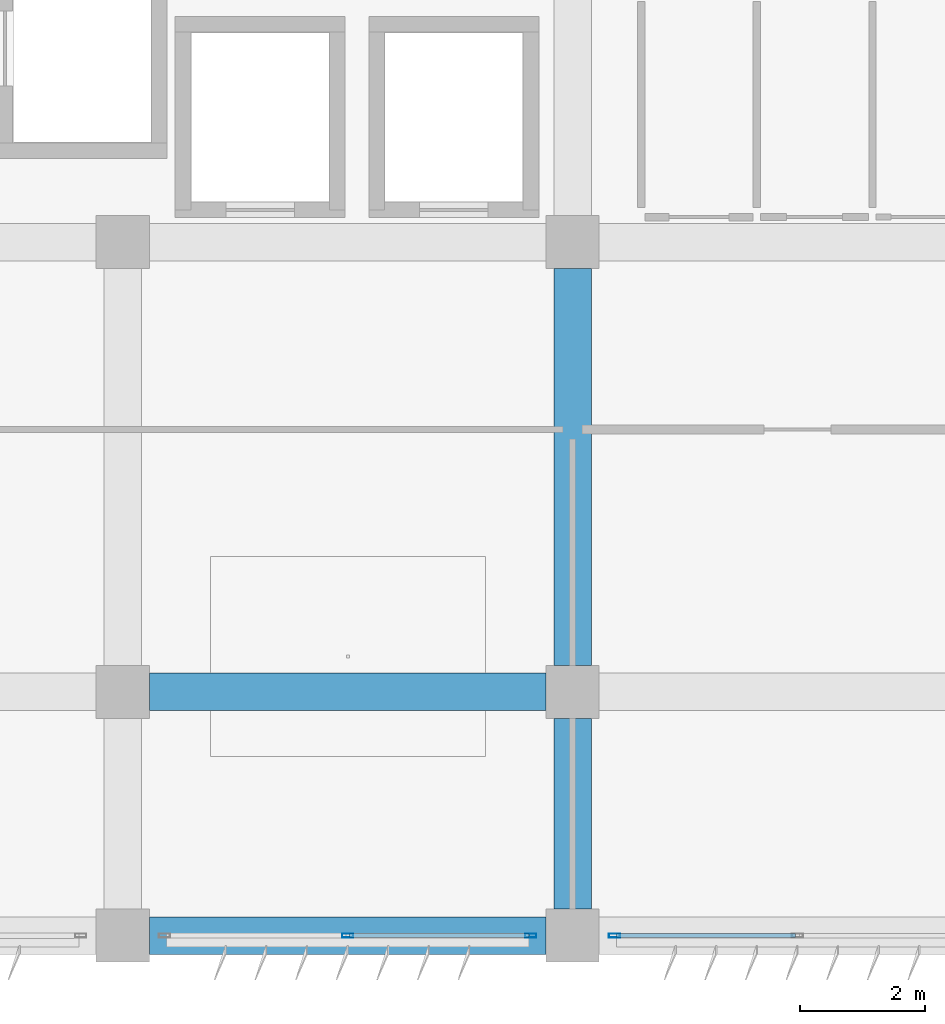
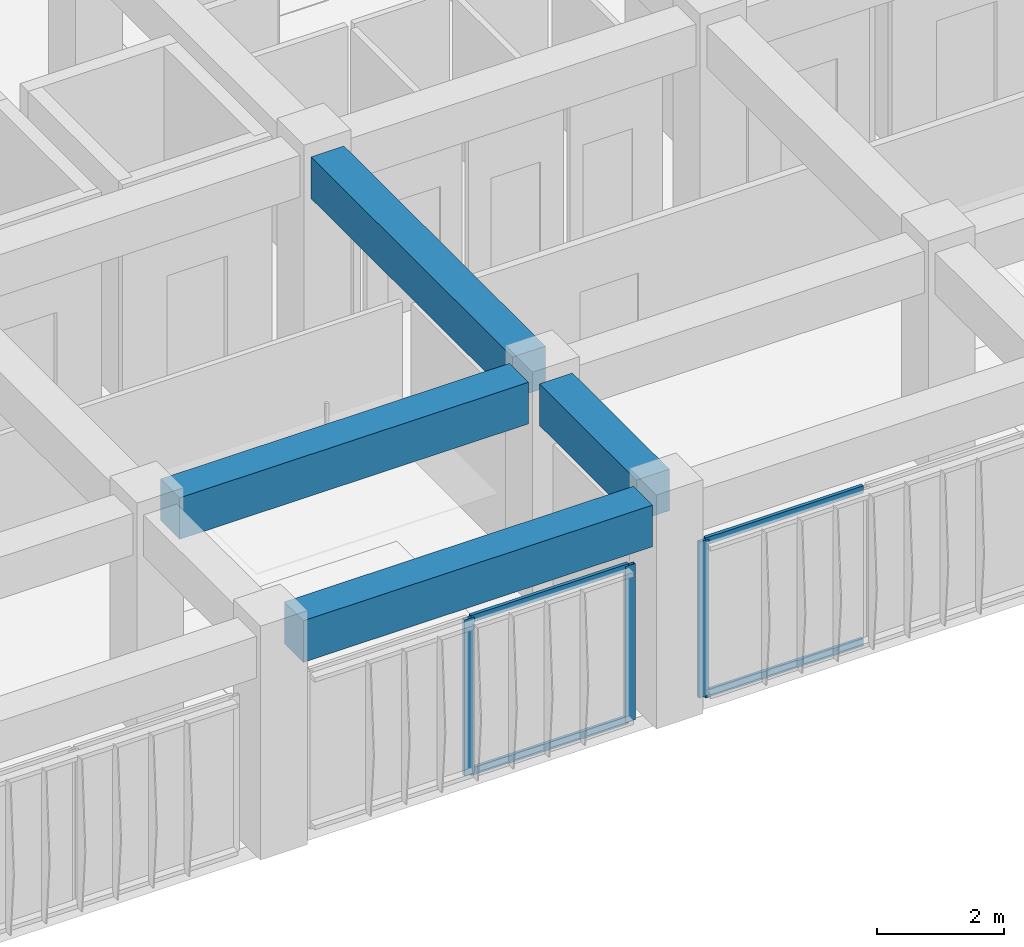
# One storey, part 7 of 48: 7 members, 4 beams, 2 elements without a shape of their own.
"""IFC4 building model written with IfcOpenShell, lengths in metres."""

from ifc_helpers import new_model, si_unit, direction, frame, origin, origin_2d, place, context, subcontext, project, spatial, rectangle, hollow_rectangle, extrude, material, material_profile, profile_set, type_object, element, aggregate, save


model = new_model("IFC4")

# Units and contexts
model_context = context("Model", 3, precision=1e-05, world=origin(), true_north=direction((0.0, 1.0)))
body_context = subcontext(model_context, "Body", "Model", "MODEL_VIEW")
ifc_project = project(units=[si_unit("LENGTHUNIT", "METRE"), si_unit("AREAUNIT", "SQUARE_METRE"), si_unit("VOLUMEUNIT", "CUBIC_METRE"), si_unit("PLANEANGLEUNIT", "RADIAN"), si_unit("MASSUNIT", "GRAM", prefix="KILO")], contexts=[model_context])

# Site, building, storey
site_placement = place(None, origin())
site = spatial("IfcSite", under=ifc_project, at=site_placement, CompositionType="ELEMENT")
building_placement = place(site_placement, origin())
building = spatial("IfcBuilding", under=site, at=building_placement, Name="Kazehaya Institute of Natural Sciences", CompositionType="ELEMENT")
storey_placement = place(building_placement, frame((0.0, 0.0, 19.800048828125)))
storey = spatial("IfcBuildingStorey", under=building, at=storey_placement, Name="L04", CompositionType="ELEMENT", Elevation=19.800048828125)

# Beams
ifc_material_1 = material(Name="Concrete Fc36", Category="concrete")
ifc_material_profile_1 = material_profile(ifc_material_1, rectangle(XDim=0.60009765625, YDim=0.800048828125, at=origin_2d()), Name="RC-600x800")
ifc_profile_set_1 = profile_set([ifc_material_profile_1], Name="Concrete Fc36")
beam_type = type_object("IfcBeamType", Name="BM-G-600x800", PredefinedType="BEAM", material=ifc_profile_set_1)
for number, where, z_axis, x_axis, name in (
    (1, (76.625, 10.10009765625, 3.829833984375), (1.0, 0.0, 0.0), (0.0, 1.0, 0.0), "L04 primary X girder BMX-L04-762-101"),
    (2, (76.625, 14.0, 3.829833984375), (1.0, 0.0, 0.0), (0.0, 1.0, 0.0), "L04 primary X girder BMX-L04-762-140"),
):
    element("IfcBeam", number, at=place(storey_placement, frame(where, z_axis=z_axis, x_axis=x_axis)), inside=storey, type_object=beam_type, Name=name, PredefinedType="BEAM", context=body_context, shape_type="SweptSolid", body=[
        extrude(rectangle(XDim=0.60009765625, YDim=0.800048828125, at=origin_2d()), origin(), (0.0, 0.0, 1.0), 6.35009765625),
    ])
beam_1_placement = place(storey_placement, frame((83.39990234375, 10.52490234375, 3.829833984375), z_axis=(0.0, 1.0, 0.0), x_axis=(-1.0, 0.0, 0.0)))
element("IfcBeam", 3, at=beam_1_placement, inside=storey, type_object=beam_type, Name="L04 primary Y girder BMY-L04-834-101", PredefinedType="BEAM", context=body_context, shape_type="SweptSolid", body=[
    extrude(rectangle(XDim=0.60009765625, YDim=0.800048828125, at=origin_2d()), origin(), (0.0, 0.0, 1.0), 3.050048828125),
])
beam_2_placement = place(storey_placement, frame((83.39990234375, 14.425048828125, 3.829833984375), z_axis=(0.0, 1.0, 0.0), x_axis=(-1.0, 0.0, 0.0)))
element("IfcBeam", 4, at=beam_2_placement, inside=storey, type_object=beam_type, Name="L04 primary Y girder BMY-L04-834-140", PredefinedType="BEAM", context=body_context, shape_type="SweptSolid", body=[
    extrude(rectangle(XDim=0.60009765625, YDim=0.800048828125, at=origin_2d()), origin(), (0.0, 0.0, 1.0), 6.349853515625),
])

# Curtain wall, member
ifc_material_2 = material(Name="Aluminium alloy A6063S-T5", Category="aluminium")
curtain_wall_type = type_object("IfcCurtainWallType", Name="CW-SYS-04", PredefinedType="NOTDEFINED", material=ifc_material_2)
curtain_wall_1_placement = place(storey_placement, origin())
curtain_wall_1 = element("IfcCurtainWall", 5, at=curtain_wall_1_placement, inside=storey, type_object=curtain_wall_type, Name="L04 unitised curtain wall CW-L04-079", PredefinedType="NOTDEFINED")
ifc_material_profile_2 = material_profile(ifc_material_2, hollow_rectangle(XDim=0.06005859375, YDim=0.179931640625, WallThickness=0.00390625, at=origin_2d()), Name="ALU-60x180x4")
ifc_profile_set_2 = profile_set([ifc_material_profile_2], Name="Aluminium alloy A6063S-T5")
member_type_1 = type_object("IfcMemberType", Name="CWM-180", PredefinedType="MULLION", material=ifc_profile_set_2)
member_1_placement = place(storey_placement, frame((84.070068359375, 10.10009765625, 0.0), z_axis=(0.0, 0.0, 1.0), x_axis=(0.0, -1.0, 0.0)))
member_1 = element("IfcMember", 6, at=member_1_placement, type_object=member_type_1, Name="CW04 mullion 3", PredefinedType="MULLION", context=body_context, shape_type="SweptSolid", body=[
    extrude(hollow_rectangle(XDim=0.06005859375, YDim=0.179931640625, WallThickness=0.00390625, at=origin_2d()), origin(), (0.0, 0.0, 1.0), 3.0),
])

# Curtain wall, members
curtain_wall_2_placement = place(storey_placement, origin())
curtain_wall_2 = element("IfcCurtainWall", 7, at=curtain_wall_2_placement, inside=storey, type_object=curtain_wall_type, Name="L04 unitised curtain wall CW-L04-080", PredefinedType="NOTDEFINED")
member_2_placement = place(storey_placement, frame((82.72998046875, 10.10009765625, 0.0), z_axis=(0.0, 0.0, 1.0), x_axis=(0.0, -1.0, 0.0)))
member_2 = element("IfcMember", 8, at=member_2_placement, type_object=member_type_1, Name="CW04 mullion 1", PredefinedType="MULLION", context=body_context, shape_type="SweptSolid", body=[
    extrude(hollow_rectangle(XDim=0.06005859375, YDim=0.179931640625, WallThickness=0.00390625, at=origin_2d()), origin(), (0.0, 0.0, 1.0), 3.0),
])
member_3_placement = place(storey_placement, frame((79.800048828125, 10.10009765625, 0.0), z_axis=(0.0, 0.0, 1.0), x_axis=(0.0, -1.0, 0.0)))
member_3 = element("IfcMember", 9, at=member_3_placement, type_object=member_type_1, Name="CW04 mullion 2", PredefinedType="MULLION", context=body_context, shape_type="SweptSolid", body=[
    extrude(hollow_rectangle(XDim=0.06005859375, YDim=0.179931640625, WallThickness=0.00390625, at=origin_2d()), origin(), (0.0, 0.0, 1.0), 3.0),
])

# Member
ifc_material_profile_3 = material_profile(ifc_material_2, hollow_rectangle(XDim=0.06005859375, YDim=0.139892578125, WallThickness=0.00341796875, at=origin_2d()), Name="ALU-60x140x3.5")
ifc_profile_set_3 = profile_set([ifc_material_profile_3], Name="Aluminium alloy A6063S-T5")
member_type_2 = type_object("IfcMemberType", Name="CWT-140", PredefinedType="USERDEFINED", material=ifc_profile_set_3)
member_4_placement = place(storey_placement, frame((86.969970703125, 10.10009765625, 0.030029296875), z_axis=(-1.0, 0.0, 0.0), x_axis=(0.0, -1.0, 0.0)))
member_4 = element("IfcMember", 10, at=member_4_placement, type_object=member_type_2, Name="CW04 transom 2.1", ObjectType="TRANSOM", PredefinedType="USERDEFINED", context=body_context, shape_type="SweptSolid", body=[
    extrude(hollow_rectangle(XDim=0.06005859375, YDim=0.139892578125, WallThickness=0.00341796875, at=origin_2d()), origin(), (0.0, 0.0, 1.0), 2.869873046875),
])

member_5_placement = place(storey_placement, frame((86.969970703125, 10.10009765625, 2.969970703125), z_axis=(-1.0, 0.0, 0.0), x_axis=(0.0, -1.0, 0.0)))
member_5 = element("IfcMember", 11, at=member_5_placement, type_object=member_type_2, Name="CW04 transom 2.2", ObjectType="TRANSOM", PredefinedType="USERDEFINED", context=body_context, shape_type="SweptSolid", body=[
    extrude(hollow_rectangle(XDim=0.06005859375, YDim=0.139892578125, WallThickness=0.00341796875, at=origin_2d()), origin(), (0.0, 0.0, 1.0), 2.869873046875),
])

aggregate(curtain_wall_1, [member_1, member_4, member_5])

member_6_placement = place(storey_placement, frame((82.699951171875, 10.10009765625, 0.030029296875), z_axis=(-1.0, 0.0, 0.0), x_axis=(0.0, -1.0, 0.0)))
member_6 = element("IfcMember", 12, at=member_6_placement, type_object=member_type_2, Name="CW04 transom 1.1", ObjectType="TRANSOM", PredefinedType="USERDEFINED", context=body_context, shape_type="SweptSolid", body=[
    extrude(hollow_rectangle(XDim=0.06005859375, YDim=0.139892578125, WallThickness=0.00341796875, at=origin_2d()), origin(), (0.0, 0.0, 1.0), 2.869873046875),
])

member_7_placement = place(storey_placement, frame((82.699951171875, 10.10009765625, 2.969970703125), z_axis=(-1.0, 0.0, 0.0), x_axis=(0.0, -1.0, 0.0)))
member_7 = element("IfcMember", 13, at=member_7_placement, type_object=member_type_2, Name="CW04 transom 1.2", ObjectType="TRANSOM", PredefinedType="USERDEFINED", context=body_context, shape_type="SweptSolid", body=[
    extrude(hollow_rectangle(XDim=0.06005859375, YDim=0.139892578125, WallThickness=0.00341796875, at=origin_2d()), origin(), (0.0, 0.0, 1.0), 2.869873046875),
])

aggregate(curtain_wall_2, [member_2, member_3, member_6, member_7])

save(model, "model.ifc")
